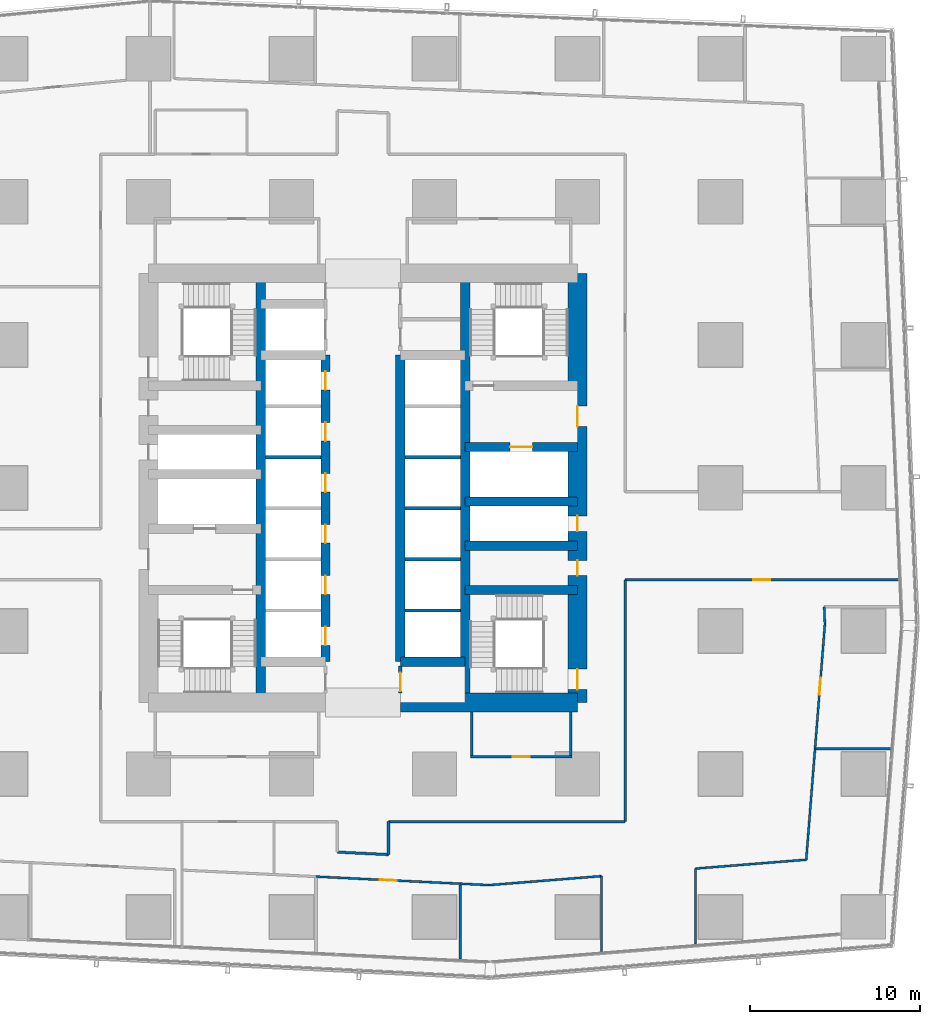
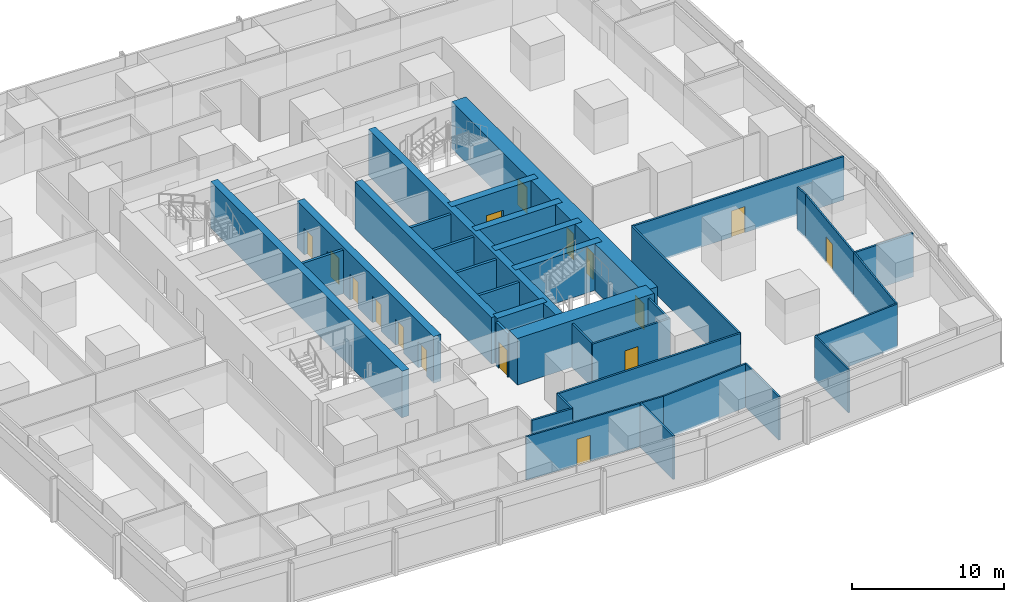
# One storey, part 35 of 46: 36 walls, 16 doors, 16 openings.
"""IFC4 building model written with IfcOpenShell, lengths in metres."""

from ifc_helpers import new_model, si_unit, direction, frame, frame_2d, origin, place, context, subcontext, project, spatial, rectangle, extrude, material, layer, layer_set, type_object, element, fill, save


model = new_model("IFC4")

# Units and contexts
model_context = context("Model", 3, precision=1e-05, world=origin(), true_north=direction((0.0, 1.0)))
body_context = subcontext(model_context, "Body", "Model", "MODEL_VIEW")
ifc_project = project(units=[si_unit("LENGTHUNIT", "METRE"), si_unit("AREAUNIT", "SQUARE_METRE"), si_unit("VOLUMEUNIT", "CUBIC_METRE"), si_unit("PLANEANGLEUNIT", "RADIAN"), si_unit("MASSUNIT", "GRAM", prefix="KILO")], contexts=[model_context])

# Site, building, storey
site_placement = place(None, origin())
site = spatial("IfcSite", under=ifc_project, at=site_placement, CompositionType="ELEMENT")
building_placement = place(site_placement, origin())
building = spatial("IfcBuilding", under=site, at=building_placement, Name="Rekha Terrace Tower", CompositionType="ELEMENT")
storey_placement = place(building_placement, frame((0.0, 0.0, 29.14990234375)))
storey = spatial("IfcBuildingStorey", under=building, at=storey_placement, Name="L06", CompositionType="ELEMENT", Elevation=29.14990234375)

# Walls
ifc_material_1 = material(Name="Concrete M70", Category="concrete")
ifc_layer_1 = layer(ifc_material_1, 0.550048828125)
ifc_layer_set_1 = layer_set([ifc_layer_1], Name="Concrete M70")
wall_type_1 = type_object("IfcWallType", Name="CI1 550 core internal shear wall", PredefinedType="SHEAR", material=ifc_layer_set_1)
for number, where, z_axis, x_axis, name in (
    (1, (31.800048828125, 21.0, 0.0), (0.0, 0.0, 1.0), (0.0, 1.0, 0.0), "Core wall X318 L06"),
    (2, (43.800048828125, 21.0, 0.0), (0.0, 0.0, 1.0), (0.0, 1.0, 0.0), "Core wall X438 L06"),
):
    element("IfcWall", number, at=place(storey_placement, frame(where, z_axis=z_axis, x_axis=x_axis)), inside=storey, type_object=wall_type_1, Name=name, PredefinedType="SHEAR", context=body_context, shape_type="SweptSolid", body=[
        extrude(rectangle(XDim=25.199951171875, YDim=0.550048828125, at=frame_2d((12.60009765625, 0.0))), origin(), (0.0, 0.0, 1.0), 3.75),
    ])

# Wall, openings, doors
wall_1_placement = place(storey_placement, frame((35.60009765625, 23.39990234375, 0.0), z_axis=(0.0, 0.0, 1.0), x_axis=(0.0, 1.0, 0.0)))
wall_1 = element("IfcWall", 3, at=wall_1_placement, inside=storey, type_object=wall_type_1, Name="Core wall X356 L06", PredefinedType="SHEAR", context=body_context, shape_type="SweptSolid", body=[
    extrude(rectangle(XDim=18.0, YDim=0.550048828125, at=frame_2d((9.0, 0.0))), origin(), (0.0, 0.0, 1.0), 3.75),
])
opening_1_placement = place(wall_1_placement, frame((0.949951171875, 0.0, 0.0)))
opening_1 = element("IfcOpeningElement", 4, at=opening_1_placement, cuts=wall_1, Name="Opening LD1", PredefinedType="OPENING", context=body_context, shape_type="SweptSolid", body=[
    extrude(rectangle(XDim=1.10009765625, YDim=2.10009765625, at=frame_2d((0.550048828125, 1.050048828125))), frame((0.0, 0.284912109375, 0.0), z_axis=(0.0, -1.0, 0.0), x_axis=(1.0, 0.0, 0.0)), (0.0, 0.0, 1.0), 0.570068359375),
])
opening_2_placement = place(wall_1_placement, frame((3.949951171875, 0.0, 0.0)))
opening_2 = element("IfcOpeningElement", 5, at=opening_2_placement, cuts=wall_1, Name="Opening LD1", PredefinedType="OPENING", context=body_context, shape_type="SweptSolid", body=[
    extrude(rectangle(XDim=1.10009765625, YDim=2.10009765625, at=frame_2d((0.550048828125, 1.050048828125))), frame((0.0, 0.284912109375, 0.0), z_axis=(0.0, -1.0, 0.0), x_axis=(1.0, 0.0, 0.0)), (0.0, 0.0, 1.0), 0.570068359375),
])
opening_3_placement = place(wall_1_placement, frame((6.949951171875, 0.0, 0.0)))
opening_3 = element("IfcOpeningElement", 6, at=opening_3_placement, cuts=wall_1, Name="Opening LD1", PredefinedType="OPENING", context=body_context, shape_type="SweptSolid", body=[
    extrude(rectangle(XDim=1.10009765625, YDim=2.10009765625, at=frame_2d((0.550048828125, 1.050048828125))), frame((0.0, 0.284912109375, 0.0), z_axis=(0.0, -1.0, 0.0), x_axis=(1.0, 0.0, 0.0)), (0.0, 0.0, 1.0), 0.570068359375),
])
opening_4_placement = place(wall_1_placement, frame((9.949951171875, 0.0, 0.0)))
opening_4 = element("IfcOpeningElement", 7, at=opening_4_placement, cuts=wall_1, Name="Opening LD1", PredefinedType="OPENING", context=body_context, shape_type="SweptSolid", body=[
    extrude(rectangle(XDim=1.10009765625, YDim=2.10009765625, at=frame_2d((0.550048828125, 1.050048828125))), frame((0.0, 0.284912109375, 0.0), z_axis=(0.0, -1.0, 0.0), x_axis=(1.0, 0.0, 0.0)), (0.0, 0.0, 1.0), 0.570068359375),
])
opening_5_placement = place(wall_1_placement, frame((12.949951171875, 0.0, 0.0)))
opening_5 = element("IfcOpeningElement", 8, at=opening_5_placement, cuts=wall_1, Name="Opening LD1", PredefinedType="OPENING", context=body_context, shape_type="SweptSolid", body=[
    extrude(rectangle(XDim=1.10009765625, YDim=2.10009765625, at=frame_2d((0.550048828125, 1.050048828125))), frame((0.0, 0.284912109375, 0.0), z_axis=(0.0, -1.0, 0.0), x_axis=(1.0, 0.0, 0.0)), (0.0, 0.0, 1.0), 0.570068359375),
])
opening_6_placement = place(wall_1_placement, frame((15.949951171875, 0.0, 0.0)))
opening_6 = element("IfcOpeningElement", 9, at=opening_6_placement, cuts=wall_1, Name="Opening LD1", PredefinedType="OPENING", context=body_context, shape_type="SweptSolid", body=[
    extrude(rectangle(XDim=1.10009765625, YDim=2.10009765625, at=frame_2d((0.550048828125, 1.050048828125))), frame((0.0, 0.284912109375, 0.0), z_axis=(0.0, -1.0, 0.0), x_axis=(1.0, 0.0, 0.0)), (0.0, 0.0, 1.0), 0.570068359375),
])
ifc_material_2 = material(Name="Stainless steel sliding landing door", Category="steel")
door_type_1 = type_object("IfcDoorType", Name="LD1 1100x2100 lift landing door", OperationType="SLIDING_TO_LEFT", PredefinedType="USERDEFINED", material=ifc_material_2)
door_1_placement = place(opening_1_placement, origin())
door_1 = element("IfcDoor", 10, at=door_1_placement, inside=storey, type_object=door_type_1, Name="Lift A1 landing door L06", ObjectType="LIFT LANDING DOOR", OperationType="SLIDING_TO_LEFT", OverallHeight=2.10009765625, OverallWidth=1.10009765625, PredefinedType="USERDEFINED", context=body_context, shape_type="SweptSolid", body=[
    extrude(rectangle(XDim=1.10009765625, YDim=2.10009765625, at=frame_2d((0.550048828125, 1.050048828125))), frame((0.0, 0.02490234375, 0.0), z_axis=(0.0, -1.0, 0.0), x_axis=(1.0, 0.0, 0.0)), (0.0, 0.0, 1.0), 0.050048828125),
])
fill(opening_1, door_1)
door_2_placement = place(opening_2_placement, origin())
door_2 = element("IfcDoor", 11, at=door_2_placement, inside=storey, type_object=door_type_1, Name="Lift A2 landing door L06", ObjectType="LIFT LANDING DOOR", OperationType="SLIDING_TO_LEFT", OverallHeight=2.10009765625, OverallWidth=1.10009765625, PredefinedType="USERDEFINED", context=body_context, shape_type="SweptSolid", body=[
    extrude(rectangle(XDim=1.10009765625, YDim=2.10009765625, at=frame_2d((0.550048828125, 1.050048828125))), frame((0.0, 0.02490234375, 0.0), z_axis=(0.0, -1.0, 0.0), x_axis=(1.0, 0.0, 0.0)), (0.0, 0.0, 1.0), 0.050048828125),
])
fill(opening_2, door_2)
door_3_placement = place(opening_3_placement, origin())
door_3 = element("IfcDoor", 12, at=door_3_placement, inside=storey, type_object=door_type_1, Name="Lift A3 landing door L06", ObjectType="LIFT LANDING DOOR", OperationType="SLIDING_TO_LEFT", OverallHeight=2.10009765625, OverallWidth=1.10009765625, PredefinedType="USERDEFINED", context=body_context, shape_type="SweptSolid", body=[
    extrude(rectangle(XDim=1.10009765625, YDim=2.10009765625, at=frame_2d((0.550048828125, 1.050048828125))), frame((0.0, 0.02490234375, 0.0), z_axis=(0.0, -1.0, 0.0), x_axis=(1.0, 0.0, 0.0)), (0.0, 0.0, 1.0), 0.050048828125),
])
fill(opening_3, door_3)
door_4_placement = place(opening_4_placement, origin())
door_4 = element("IfcDoor", 13, at=door_4_placement, inside=storey, type_object=door_type_1, Name="Lift A4 landing door L06", ObjectType="LIFT LANDING DOOR", OperationType="SLIDING_TO_LEFT", OverallHeight=2.10009765625, OverallWidth=1.10009765625, PredefinedType="USERDEFINED", context=body_context, shape_type="SweptSolid", body=[
    extrude(rectangle(XDim=1.10009765625, YDim=2.10009765625, at=frame_2d((0.550048828125, 1.050048828125))), frame((0.0, 0.02490234375, 0.0), z_axis=(0.0, -1.0, 0.0), x_axis=(1.0, 0.0, 0.0)), (0.0, 0.0, 1.0), 0.050048828125),
])
fill(opening_4, door_4)
door_5_placement = place(opening_5_placement, origin())
door_5 = element("IfcDoor", 14, at=door_5_placement, inside=storey, type_object=door_type_1, Name="Lift A5 landing door L06", ObjectType="LIFT LANDING DOOR", OperationType="SLIDING_TO_LEFT", OverallHeight=2.10009765625, OverallWidth=1.10009765625, PredefinedType="USERDEFINED", context=body_context, shape_type="SweptSolid", body=[
    extrude(rectangle(XDim=1.10009765625, YDim=2.10009765625, at=frame_2d((0.550048828125, 1.050048828125))), frame((0.0, 0.02490234375, 0.0), z_axis=(0.0, -1.0, 0.0), x_axis=(1.0, 0.0, 0.0)), (0.0, 0.0, 1.0), 0.050048828125),
])
fill(opening_5, door_5)
door_6_placement = place(opening_6_placement, origin())
door_6 = element("IfcDoor", 15, at=door_6_placement, inside=storey, type_object=door_type_1, Name="Lift A6 landing door L06", ObjectType="LIFT LANDING DOOR", OperationType="SLIDING_TO_LEFT", OverallHeight=2.10009765625, OverallWidth=1.10009765625, PredefinedType="USERDEFINED", context=body_context, shape_type="SweptSolid", body=[
    extrude(rectangle(XDim=1.10009765625, YDim=2.10009765625, at=frame_2d((0.550048828125, 1.050048828125))), frame((0.0, 0.02490234375, 0.0), z_axis=(0.0, -1.0, 0.0), x_axis=(1.0, 0.0, 0.0)), (0.0, 0.0, 1.0), 0.050048828125),
])
fill(opening_6, door_6)

# Walls
wall_2_placement = place(storey_placement, frame((40.0, 23.39990234375, 0.0), z_axis=(0.0, 0.0, 1.0), x_axis=(0.0, 1.0, 0.0)))
element("IfcWall", 16, at=wall_2_placement, inside=storey, type_object=wall_type_1, Name="Core wall X400 L06", PredefinedType="SHEAR", context=body_context, shape_type="SweptSolid", body=[
    extrude(rectangle(XDim=18.0, YDim=0.550048828125, at=frame_2d((9.0, 0.0))), origin(), (0.0, 0.0, 1.0), 3.75),
])
wall_3_placement = place(storey_placement, frame((40.0, 23.39990234375, 0.0), z_axis=(0.0, 0.0, 1.0), x_axis=(1.0, 0.0, 0.0)))
element("IfcWall", 17, at=wall_3_placement, inside=storey, type_object=wall_type_1, Name="Core wall Y234E L06", PredefinedType="SHEAR", context=body_context, shape_type="SweptSolid", body=[
    extrude(rectangle(XDim=3.800048828125, YDim=0.550048828125, at=frame_2d((1.89990234375, 0.0))), origin(), (0.0, 0.0, 1.0), 3.75),
])
for number, where, z_axis, x_axis, name in (
    (18, (43.800048828125, 27.60009765625, 0.0), (0.0, 0.0, 1.0), (1.0, 0.0, 0.0), "Core wall Y276E L06"),
    (19, (43.800048828125, 30.199951171875, 0.0), (0.0, 0.0, 1.0), (1.0, 0.0, 0.0), "Core wall Y302E L06"),
    (20, (43.800048828125, 32.800048828125, 0.0), (0.0, 0.0, 1.0), (1.0, 0.0, 0.0), "Core wall Y328E L06"),
):
    element("IfcWall", number, at=place(storey_placement, frame(where, z_axis=z_axis, x_axis=x_axis)), inside=storey, type_object=wall_type_1, Name=name, PredefinedType="SHEAR", context=body_context, shape_type="SweptSolid", body=[
        extrude(rectangle(XDim=6.599853515625, YDim=0.550048828125, at=frame_2d((3.2998046875, 0.0))), origin(), (0.0, 0.0, 1.0), 3.75),
    ])

# Wall, opening, door
wall_4_placement = place(storey_placement, frame((43.800048828125, 36.0, 0.0), z_axis=(0.0, 0.0, 1.0), x_axis=(1.0, 0.0, 0.0)))
wall_4 = element("IfcWall", 21, at=wall_4_placement, inside=storey, type_object=wall_type_1, Name="Core wall Y360E L06", PredefinedType="SHEAR", context=body_context, shape_type="SweptSolid", body=[
    extrude(rectangle(XDim=6.599853515625, YDim=0.550048828125, at=frame_2d((3.2998046875, 0.0))), origin(), (0.0, 0.0, 1.0), 3.75),
])
opening_7_placement = place(wall_4_placement, frame((2.64990234375, 0.0, 0.0)))
opening_7 = element("IfcOpeningElement", 22, at=opening_7_placement, cuts=wall_4, Name="Opening LD2", PredefinedType="OPENING", context=body_context, shape_type="SweptSolid", body=[
    extrude(rectangle(XDim=1.300048828125, YDim=2.10009765625, at=frame_2d((0.64990234375, 1.050048828125))), frame((0.0, 0.284912109375, 0.0), z_axis=(0.0, -1.0, 0.0), x_axis=(1.0, 0.0, 0.0)), (0.0, 0.0, 1.0), 0.570068359375),
])
door_type_2 = type_object("IfcDoorType", Name="LD2 1300x2100 fire lift landing door", OperationType="SLIDING_TO_LEFT", PredefinedType="USERDEFINED", material=ifc_material_2)
door_7_placement = place(opening_7_placement, origin())
door_7 = element("IfcDoor", 23, at=door_7_placement, inside=storey, type_object=door_type_2, Name="Lift FL2 landing door L06", ObjectType="LIFT LANDING DOOR", OperationType="SLIDING_TO_LEFT", OverallHeight=2.10009765625, OverallWidth=1.300048828125, PredefinedType="USERDEFINED", context=body_context, shape_type="SweptSolid", body=[
    extrude(rectangle(XDim=1.300048828125, YDim=2.10009765625, at=frame_2d((0.64990234375, 1.050048828125))), frame((0.0, 0.02490234375, 0.0), z_axis=(0.0, -1.0, 0.0), x_axis=(1.0, 0.0, 0.0)), (0.0, 0.0, 1.0), 0.050048828125),
])
fill(opening_7, door_7)

# Wall
ifc_layer_2 = layer(ifc_material_1, 1.10009765625)
ifc_layer_set_2 = layer_set([ifc_layer_2], Name="Concrete M70")
wall_type_2 = type_object("IfcWallType", Name="SW1 1100 core outer shear wall", PredefinedType="SHEAR", material=ifc_layer_set_2)
wall_5_placement = place(storey_placement, frame((40.0, 21.0, 0.0), z_axis=(0.0, 0.0, 1.0), x_axis=(1.0, 0.0, 0.0)))
element("IfcWall", 24, at=wall_5_placement, inside=storey, type_object=wall_type_2, Name="Core wall S2 L06", PredefinedType="SHEAR", context=body_context, shape_type="SweptSolid", body=[
    extrude(rectangle(XDim=10.39990234375, YDim=1.10009765625, at=frame_2d((5.199951171875, 0.0))), origin(), (0.0, 0.0, 1.0), 3.75),
])

# Wall, openings, doors
wall_6_placement = place(storey_placement, frame((50.39990234375, 21.0, 0.0), z_axis=(0.0, 0.0, 1.0), x_axis=(0.0, 1.0, 0.0)))
wall_6 = element("IfcWall", 25, at=wall_6_placement, inside=storey, type_object=wall_type_2, Name="Core wall E L06", PredefinedType="SHEAR", context=body_context, shape_type="SweptSolid", body=[
    extrude(rectangle(XDim=25.199951171875, YDim=1.10009765625, at=frame_2d((12.60009765625, 0.0))), origin(), (0.0, 0.0, 1.0), 3.75),
])
opening_8_placement = place(wall_6_placement, frame((16.199951171875, 0.0, 0.0)))
opening_8 = element("IfcOpeningElement", 26, at=opening_8_placement, cuts=wall_6, Name="Opening D2", PredefinedType="OPENING", context=body_context, shape_type="SweptSolid", body=[
    extrude(rectangle(XDim=1.199951171875, YDim=2.10009765625, at=frame_2d((0.60009765625, 1.050048828125))), frame((0.0, 0.56005859375, 0.0), z_axis=(0.0, -1.0, 0.0), x_axis=(1.0, 0.0, 0.0)), (0.0, 0.0, 1.0), 1.1201171875),
])
opening_9_placement = place(wall_6_placement, frame((10.050048828125, 0.0, 0.0)))
opening_9 = element("IfcOpeningElement", 27, at=opening_9_placement, cuts=wall_6, Name="Opening D5", PredefinedType="OPENING", context=body_context, shape_type="SweptSolid", body=[
    extrude(rectangle(XDim=0.89990234375, YDim=2.10009765625, at=frame_2d((0.449951171875, 1.050048828125))), frame((0.0, 0.56005859375, 0.0), z_axis=(0.0, -1.0, 0.0), x_axis=(1.0, 0.0, 0.0)), (0.0, 0.0, 1.0), 1.1201171875),
])
opening_10_placement = place(wall_6_placement, frame((7.449951171875, 0.0, 0.0)))
opening_10 = element("IfcOpeningElement", 28, at=opening_10_placement, cuts=wall_6, Name="Opening D5", PredefinedType="OPENING", context=body_context, shape_type="SweptSolid", body=[
    extrude(rectangle(XDim=0.89990234375, YDim=2.10009765625, at=frame_2d((0.449951171875, 1.050048828125))), frame((0.0, 0.56005859375, 0.0), z_axis=(0.0, -1.0, 0.0), x_axis=(1.0, 0.0, 0.0)), (0.0, 0.0, 1.0), 1.1201171875),
])
opening_11_placement = place(wall_6_placement, frame((0.75, 0.0, 0.0)))
opening_11 = element("IfcOpeningElement", 29, at=opening_11_placement, cuts=wall_6, Name="Opening D1", PredefinedType="OPENING", context=body_context, shape_type="SweptSolid", body=[
    extrude(rectangle(XDim=1.199951171875, YDim=2.10009765625, at=frame_2d((0.60009765625, 1.050048828125))), frame((0.0, 0.56005859375, 0.0), z_axis=(0.0, -1.0, 0.0), x_axis=(1.0, 0.0, 0.0)), (0.0, 0.0, 1.0), 1.1201171875),
])
ifc_material_3 = material(Name="Steel fire door", Category="steel")
door_type_3 = type_object("IfcDoorType", Name="D1 1200x2100 stair fire door", OperationType="SINGLE_SWING_RIGHT", PredefinedType="DOOR", material=ifc_material_3)
door_8_placement = place(opening_11_placement, origin())
door_8 = element("IfcDoor", 30, at=door_8_placement, inside=storey, type_object=door_type_3, Name="Stair ST3 door L06", OperationType="SINGLE_SWING_RIGHT", OverallHeight=2.10009765625, OverallWidth=1.199951171875, PredefinedType="DOOR", context=body_context, shape_type="SweptSolid", body=[
    extrude(rectangle(XDim=1.199951171875, YDim=2.10009765625, at=frame_2d((0.60009765625, 1.050048828125))), frame((0.0, 0.02490234375, 0.0), z_axis=(0.0, -1.0, 0.0), x_axis=(1.0, 0.0, 0.0)), (0.0, 0.0, 1.0), 0.050048828125),
])
fill(opening_11, door_8)
door_type_4 = type_object("IfcDoorType", Name="D2 1200x2100 firefighting lobby door", OperationType="SINGLE_SWING_LEFT", PredefinedType="DOOR", material=ifc_material_3)
door_9_placement = place(opening_8_placement, origin())
door_9 = element("IfcDoor", 31, at=door_9_placement, inside=storey, type_object=door_type_4, Name="Door flb2 L06", OperationType="SINGLE_SWING_LEFT", OverallHeight=2.10009765625, OverallWidth=1.199951171875, PredefinedType="DOOR", context=body_context, shape_type="SweptSolid", body=[
    extrude(rectangle(XDim=1.199951171875, YDim=2.10009765625, at=frame_2d((0.60009765625, 1.050048828125))), frame((0.0, 0.02490234375, 0.0), z_axis=(0.0, -1.0, 0.0), x_axis=(1.0, 0.0, 0.0)), (0.0, 0.0, 1.0), 0.050048828125),
])
fill(opening_8, door_9)
door_type_5 = type_object("IfcDoorType", Name="D5 900x2100 riser access door", OperationType="SINGLE_SWING_LEFT", PredefinedType="DOOR", material=ifc_material_3)
door_10_placement = place(opening_9_placement, origin())
door_10 = element("IfcDoor", 32, at=door_10_placement, inside=storey, type_object=door_type_5, Name="Door rs2 L06", OperationType="SINGLE_SWING_LEFT", OverallHeight=2.10009765625, OverallWidth=0.89990234375, PredefinedType="DOOR", context=body_context, shape_type="SweptSolid", body=[
    extrude(rectangle(XDim=0.89990234375, YDim=2.10009765625, at=frame_2d((0.449951171875, 1.050048828125))), frame((0.0, 0.02490234375, 0.0), z_axis=(0.0, -1.0, 0.0), x_axis=(1.0, 0.0, 0.0)), (0.0, 0.0, 1.0), 0.050048828125),
])
fill(opening_9, door_10)
door_11_placement = place(opening_10_placement, origin())
door_11 = element("IfcDoor", 33, at=door_11_placement, inside=storey, type_object=door_type_5, Name="Door ele L06", OperationType="SINGLE_SWING_LEFT", OverallHeight=2.10009765625, OverallWidth=0.89990234375, PredefinedType="DOOR", context=body_context, shape_type="SweptSolid", body=[
    extrude(rectangle(XDim=0.89990234375, YDim=2.10009765625, at=frame_2d((0.449951171875, 1.050048828125))), frame((0.0, 0.02490234375, 0.0), z_axis=(0.0, -1.0, 0.0), x_axis=(1.0, 0.0, 0.0)), (0.0, 0.0, 1.0), 0.050048828125),
])
fill(opening_10, door_11)

# Wall, opening, door
ifc_material_4 = material(Name="Concrete block masonry, 1 hour", Category="masonry")
ifc_layer_3 = layer(ifc_material_4, 0.14990234375)
ifc_layer_set_3 = layer_set([ifc_layer_3], Name="Concrete block masonry, 1 hour")
wall_type_3 = type_object("IfcWallType", Name="WP2 150 tenancy partition", PredefinedType="PARTITIONING", material=ifc_layer_set_3)
wall_7_placement = place(storey_placement, frame((44.125, 17.800048828125, 0.0), z_axis=(0.0, 0.0, 1.0), x_axis=(1.0, 0.0, 0.0)))
wall_7 = element("IfcWall", 34, at=wall_7_placement, inside=storey, type_object=wall_type_3, Name="Men's WC wall L06", PredefinedType="PARTITIONING", context=body_context, shape_type="SweptSolid", body=[
    extrude(rectangle(XDim=5.949951171875, YDim=0.14990234375, at=frame_2d((2.97509765625, 0.0))), origin(), (0.0, 0.0, 1.0), 3.5),
])
opening_12_placement = place(wall_7_placement, frame((2.47509765625, 0.0, 0.0)))
opening_12 = element("IfcOpeningElement", 35, at=opening_12_placement, cuts=wall_7, Name="Opening D3", PredefinedType="OPENING", context=body_context, shape_type="SweptSolid", body=[
    extrude(rectangle(XDim=1.0, YDim=2.10009765625, at=frame_2d((0.5, 1.050048828125))), frame((0.0, 0.0849609375, 0.0), z_axis=(0.0, -1.0, 0.0), x_axis=(1.0, 0.0, 0.0)), (0.0, 0.0, 1.0), 0.169921875),
])
ifc_material_5 = material(Name="Laminated timber fire door", Category="wood")
door_type_6 = type_object("IfcDoorType", Name="D3 1000x2100 WC door", OperationType="SINGLE_SWING_LEFT", PredefinedType="DOOR", material=ifc_material_5)
door_12_placement = place(opening_12_placement, origin())
door_12 = element("IfcDoor", 36, at=door_12_placement, inside=storey, type_object=door_type_6, Name="Door men's wc L06", OperationType="SINGLE_SWING_LEFT", OverallHeight=2.10009765625, OverallWidth=1.0, PredefinedType="DOOR", context=body_context, shape_type="SweptSolid", body=[
    extrude(rectangle(XDim=1.0, YDim=2.10009765625, at=frame_2d((0.5, 1.050048828125))), frame((0.0, 0.02490234375, 0.0), z_axis=(0.0, -1.0, 0.0), x_axis=(1.0, 0.0, 0.0)), (0.0, 0.0, 1.0), 0.050048828125),
])
fill(opening_12, door_12)

# Walls
for number, where, z_axis, x_axis, name in (
    (37, (44.199951171875, 17.875, 0.0), (0.0, 0.0, 1.0), (0.0, 1.0, 0.0), "Men's WC wall L06"),
    (38, (50.0, 17.875, 0.0), (0.0, 0.0, 1.0), (0.0, 1.0, 0.0), "Men's WC wall L06"),
):
    element("IfcWall", number, at=place(storey_placement, frame(where, z_axis=z_axis, x_axis=x_axis)), inside=storey, type_object=wall_type_3, Name=name, PredefinedType="PARTITIONING", context=body_context, shape_type="SweptSolid", body=[
        extrude(rectangle(XDim=2.574951171875, YDim=0.14990234375, at=frame_2d((1.28759765625, 0.0))), origin(), (0.0, 0.0, 1.0), 3.5),
    ])
wall_8_placement = place(storey_placement, frame((64.412109375, 18.278076171875, 0.0), z_axis=(0.0, 0.0, 1.0), x_axis=(1.0, 0.0, 0.0)))
element("IfcWall", 39, at=wall_8_placement, inside=storey, type_object=wall_type_3, Name="Partition L06-O1", PredefinedType="PARTITIONING", context=body_context, shape_type="SweptSolid", body=[
    extrude(rectangle(XDim=4.40087890625, YDim=0.14990234375, at=frame_2d((2.200439453125, 0.0))), origin(), (0.0, 0.0, 1.0), 3.5),
])
wall_9_placement = place(storey_placement, frame((43.512939453125, 10.291015625, 0.0), z_axis=(0.0, 0.0, 1.0), x_axis=(0.0, -1.0, 0.0)))
element("IfcWall", 40, at=wall_9_placement, inside=storey, type_object=wall_type_3, Name="Partition L06-O1", PredefinedType="PARTITIONING", context=body_context, shape_type="SweptSolid", body=[
    extrude(rectangle(XDim=4.363037109375, YDim=0.14990234375, at=frame_2d((2.181640625, 0.0))), origin(), (0.0, 0.0, 1.0), 3.5),
])
wall_10_placement = place(storey_placement, frame((36.300048828125, 12.2099609375, 0.0), z_axis=(0.0, 0.0, 1.0), x_axis=(0.998786159732, -0.04925654401, 0.0)))
element("IfcWall", 41, at=wall_10_placement, inside=storey, type_object=wall_type_3, Name="Partition L06-O1", PredefinedType="PARTITIONING", context=body_context, shape_type="SweptSolid", body=[
    extrude(rectangle(XDim=3.003662109375, YDim=0.14990234375, at=frame_2d((1.501953125, 0.0))), origin(), (0.0, 0.0, 1.0), 3.5),
])
wall_11_placement = place(storey_placement, frame((39.300048828125, 12.06201171875, 0.0), z_axis=(0.0, 0.0, 1.0), x_axis=(0.0, 1.0, 0.0)))
element("IfcWall", 42, at=wall_11_placement, inside=storey, type_object=wall_type_3, Name="Partition L06-O1", PredefinedType="PARTITIONING", context=body_context, shape_type="SweptSolid", body=[
    extrude(rectangle(XDim=1.93798828125, YDim=0.14990234375, at=frame_2d((0.968994140625, 0.0))), origin(), (0.0, 0.0, 1.0), 3.5),
])
wall_12_placement = place(storey_placement, frame((39.300048828125, 14.0, 0.0), z_axis=(0.0, 0.0, 1.0), x_axis=(1.0, 0.0, 0.0)))
element("IfcWall", 43, at=wall_12_placement, inside=storey, type_object=wall_type_3, Name="Partition L06-O1", PredefinedType="PARTITIONING", context=body_context, shape_type="SweptSolid", body=[
    extrude(rectangle(XDim=13.89990234375, YDim=0.14990234375, at=frame_2d((6.949951171875, 0.0))), origin(), (0.0, 0.0, 1.0), 3.5),
])
wall_13_placement = place(storey_placement, frame((53.199951171875, 14.0, 0.0), z_axis=(0.0, 0.0, 1.0), x_axis=(0.0, 1.0, 0.0)))
element("IfcWall", 44, at=wall_13_placement, inside=storey, type_object=wall_type_3, Name="Partition L06-O1", PredefinedType="PARTITIONING", context=body_context, shape_type="SweptSolid", body=[
    extrude(rectangle(XDim=14.199951171875, YDim=0.14990234375, at=frame_2d((7.10009765625, 0.0))), origin(), (0.0, 0.0, 1.0), 3.5),
])

# Wall, opening, door
wall_14_placement = place(storey_placement, frame((53.199951171875, 28.199951171875, 0.0), z_axis=(0.0, 0.0, 1.0), x_axis=(1.0, 0.0, 0.0)))
wall_14 = element("IfcWall", 45, at=wall_14_placement, inside=storey, type_object=wall_type_3, Name="Partition L06-O1", PredefinedType="PARTITIONING", context=body_context, shape_type="SweptSolid", body=[
    extrude(rectangle(XDim=16.073974609375, YDim=0.14990234375, at=frame_2d((8.037109375, 0.0))), origin(), (0.0, 0.0, 1.0), 3.5),
])
opening_13_placement = place(wall_14_placement, frame((7.52197265625, 0.0, 0.0)))
opening_13 = element("IfcOpeningElement", 46, at=opening_13_placement, cuts=wall_14, Name="Opening D9", PredefinedType="OPENING", context=body_context, shape_type="SweptSolid", body=[
    extrude(rectangle(XDim=1.0, YDim=2.10009765625, at=frame_2d((0.5, 1.050048828125))), frame((0.0, 0.0849609375, 0.0), z_axis=(0.0, -1.0, 0.0), x_axis=(1.0, 0.0, 0.0)), (0.0, 0.0, 1.0), 0.169921875),
])
ifc_material_6 = material(Name="Timber fire door", Category="wood")
door_type_7 = type_object("IfcDoorType", Name="D9 1000x2100 office door", OperationType="SINGLE_SWING_LEFT", PredefinedType="DOOR", material=ifc_material_6)
door_13_placement = place(opening_13_placement, origin())
door_13 = element("IfcDoor", 47, at=door_13_placement, inside=storey, type_object=door_type_7, Name="Door open-plan office L06", OperationType="SINGLE_SWING_LEFT", OverallHeight=2.10009765625, OverallWidth=1.0, PredefinedType="DOOR", context=body_context, shape_type="SweptSolid", body=[
    extrude(rectangle(XDim=1.0, YDim=2.10009765625, at=frame_2d((0.5, 1.050048828125))), frame((0.0, 0.02490234375, 0.0), z_axis=(0.0, -1.0, 0.0), x_axis=(1.0, 0.0, 0.0)), (0.0, 0.0, 1.0), 0.050048828125),
])
fill(opening_13, door_13)

# Walls
ifc_material_7 = material(Name="Two layers of fire-rated gypsum board each side on steel studs, acoustic quilt, 1 hour", Category="steel")
ifc_layer_4 = layer(ifc_material_7, 0.125)
ifc_layer_set_4 = layer_set([ifc_layer_4], Name="Two layers of fire-rated gypsum board each side on steel studs, acoustic quilt, 1 hour")
wall_type_4 = type_object("IfcWallType", Name="WP3 125 office partition", PredefinedType="PARTITIONING", material=ifc_layer_set_4)
wall_15_placement = place(storey_placement, frame((64.929931640625, 25.60205078125, 0.0), z_axis=(0.0, 0.0, 1.0), x_axis=(-0.04216869278, 0.999110505074, 0.0)))
element("IfcWall", 48, at=wall_15_placement, inside=storey, type_object=wall_type_4, Name="Partition L06-02", PredefinedType="PARTITIONING", context=body_context, shape_type="SweptSolid", body=[
    extrude(rectangle(XDim=1.01904296875, YDim=0.125, at=frame_2d((0.509521484375, 0.0))), origin(), (0.0, 0.0, 1.0), 3.5),
])
wall_16_placement = place(storey_placement, frame((57.3291015625, 6.80810546875, 0.0), z_axis=(0.0, 0.0, 1.0), x_axis=(0.0, 1.0, 0.0)))
element("IfcWall", 49, at=wall_16_placement, inside=storey, type_object=wall_type_4, Name="Partition L06-02", PredefinedType="PARTITIONING", context=body_context, shape_type="SweptSolid", body=[
    extrude(rectangle(XDim=4.433837890625, YDim=0.125, at=frame_2d((2.216796875, 0.0))), origin(), (0.0, 0.0, 1.0), 3.5),
])
wall_17_placement = place(storey_placement, frame((57.3291015625, 11.241943359375, 0.0), z_axis=(0.0, 0.0, 1.0), x_axis=(0.99680599034, 0.079861239803, 0.0)))
element("IfcWall", 50, at=wall_17_placement, inside=storey, type_object=wall_type_4, Name="Partition L06-02", PredefinedType="PARTITIONING", context=body_context, shape_type="SweptSolid", body=[
    extrude(rectangle(XDim=6.523681640625, YDim=0.125, at=frame_2d((3.26171875, 0.0))), origin(), (0.0, 0.0, 1.0), 3.5),
])
wall_18_placement = place(storey_placement, frame((63.83203125, 11.762939453125, 0.0), z_axis=(0.0, 0.0, 1.0), x_axis=(0.079130444636, 0.996864269964, 0.0)))
element("IfcWall", 51, at=wall_18_placement, inside=storey, type_object=wall_type_4, Name="Partition L06-02", PredefinedType="PARTITIONING", context=body_context, shape_type="SweptSolid", body=[
    extrude(rectangle(XDim=6.53466796875, YDim=0.125, at=frame_2d((3.267333984375, 0.0))), origin(), (0.0, 0.0, 1.0), 3.5),
])

# Wall, opening, door
wall_19_placement = place(storey_placement, frame((64.34912109375, 18.277099609375, 0.0), z_axis=(0.0, 0.0, 1.0), x_axis=(0.079043976211, 0.996871129999, 0.0)))
wall_19 = element("IfcWall", 52, at=wall_19_placement, inside=storey, type_object=wall_type_4, Name="Partition L06-02", PredefinedType="PARTITIONING", context=body_context, shape_type="SweptSolid", body=[
    extrude(rectangle(XDim=7.347900390625, YDim=0.125, at=frame_2d((3.673828125, 0.0))), origin(), (0.0, 0.0, 1.0), 3.5),
])
opening_14_placement = place(wall_19_placement, frame((3.174072265625, 0.0, 0.0)))
opening_14 = element("IfcOpeningElement", 53, at=opening_14_placement, cuts=wall_19, Name="Opening D9", PredefinedType="OPENING", context=body_context, shape_type="SweptSolid", body=[
    extrude(rectangle(XDim=1.0, YDim=2.10009765625, at=frame_2d((0.5, 1.050048828125))), frame((0.0, 0.072509765625, 0.0), z_axis=(0.0, -1.0, 0.0), x_axis=(1.0, 0.0, 0.0)), (0.0, 0.0, 1.0), 0.14501953125),
])
door_14_placement = place(opening_14_placement, origin())
door_14 = element("IfcDoor", 54, at=door_14_placement, inside=storey, type_object=door_type_7, Name="Door manager's office L06", OperationType="SINGLE_SWING_LEFT", OverallHeight=2.10009765625, OverallWidth=1.0, PredefinedType="DOOR", context=body_context, shape_type="SweptSolid", body=[
    extrude(rectangle(XDim=1.0, YDim=2.10009765625, at=frame_2d((0.5, 1.050048828125))), frame((0.0, 0.02490234375, 0.0), z_axis=(0.0, -1.0, 0.0), x_axis=(1.0, 0.0, 0.0)), (0.0, 0.0, 1.0), 0.050048828125),
])
fill(opening_14, door_14)

wall_20_placement = place(storey_placement, frame((35.0400390625, 10.77001953125, 0.0), z_axis=(0.0, 0.0, 1.0), x_axis=(0.998796515078, -0.049046115723, 0.0)))
wall_20 = element("IfcWall", 55, at=wall_20_placement, inside=storey, type_object=wall_type_4, Name="Partition L06-03", PredefinedType="PARTITIONING", context=body_context, shape_type="SweptSolid", body=[
    extrude(rectangle(XDim=8.482177734375, YDim=0.125, at=frame_2d((4.2412109375, 0.0))), origin(), (0.0, 0.0, 1.0), 3.5),
])
opening_15_placement = place(wall_20_placement, frame((3.740966796875, 0.0, 0.0)))
opening_15 = element("IfcOpeningElement", 56, at=opening_15_placement, cuts=wall_20, Name="Opening D9", PredefinedType="OPENING", context=body_context, shape_type="SweptSolid", body=[
    extrude(rectangle(XDim=1.0, YDim=2.10009765625, at=frame_2d((0.5, 1.050048828125))), frame((0.0, 0.072509765625, 0.0), z_axis=(0.0, -1.0, 0.0), x_axis=(1.0, 0.0, 0.0)), (0.0, 0.0, 1.0), 0.14501953125),
])
door_15_placement = place(opening_15_placement, origin())
door_15 = element("IfcDoor", 57, at=door_15_placement, inside=storey, type_object=door_type_7, Name="Door office L06", OperationType="SINGLE_SWING_LEFT", OverallHeight=2.10009765625, OverallWidth=1.0, PredefinedType="DOOR", context=body_context, shape_type="SweptSolid", body=[
    extrude(rectangle(XDim=1.0, YDim=2.10009765625, at=frame_2d((0.5, 1.050048828125))), frame((0.0, 0.02490234375, 0.0), z_axis=(0.0, -1.0, 0.0), x_axis=(1.0, 0.0, 0.0)), (0.0, 0.0, 1.0), 0.050048828125),
])
fill(opening_15, door_15)

# Walls
wall_21_placement = place(storey_placement, frame((43.511962890625, 10.35400390625, 0.0), z_axis=(0.0, 0.0, 1.0), x_axis=(0.998795852564, -0.049059605587, 0.0)))
element("IfcWall", 58, at=wall_21_placement, inside=storey, type_object=wall_type_4, Name="Partition L06-03", PredefinedType="PARTITIONING", context=body_context, shape_type="SweptSolid", body=[
    extrude(rectangle(XDim=1.69189453125, YDim=0.125, at=frame_2d((0.845947265625, 0.0))), origin(), (0.0, 0.0, 1.0), 3.5),
])
wall_22_placement = place(storey_placement, frame((45.201904296875, 10.27099609375, 0.0), z_axis=(0.0, 0.0, 1.0), x_axis=(0.996813519404, 0.079767208379, 0.0)))
element("IfcWall", 59, at=wall_22_placement, inside=storey, type_object=wall_type_4, Name="Partition L06-03", PredefinedType="PARTITIONING", context=body_context, shape_type="SweptSolid", body=[
    extrude(rectangle(XDim=6.6201171875, YDim=0.125, at=frame_2d((3.31005859375, 0.0))), origin(), (0.0, 0.0, 1.0), 3.5),
])
wall_23_placement = place(storey_placement, frame((51.801025390625, 10.799072265625, 0.0), z_axis=(0.0, 0.0, 1.0), x_axis=(0.0, -1.0, 0.0)))
element("IfcWall", 60, at=wall_23_placement, inside=storey, type_object=wall_type_4, Name="Partition L06-03", PredefinedType="PARTITIONING", context=body_context, shape_type="SweptSolid", body=[
    extrude(rectangle(XDim=4.43408203125, YDim=0.125, at=frame_2d((2.217041015625, 0.0))), origin(), (0.0, 0.0, 1.0), 3.5),
])
ifc_material_8 = material(Name="Solid concrete block masonry, 2 hour", Category="masonry")
ifc_layer_5 = layer(ifc_material_8, 0.199951171875)
ifc_layer_set_5 = layer_set([ifc_layer_5], Name="Solid concrete block masonry, 2 hour")
wall_type_5 = type_object("IfcWallType", Name="WS1 200 stair and shaft enclosure", PredefinedType="PARTITIONING", material=ifc_layer_set_5)
for number, where, z_axis, x_axis, name in (
    (61, (32.074951171875, 35.39990234375, 0.0), (0.0, 0.0, 1.0), (1.0, 0.0, 0.0), "Lift shaft divider L06"),
    (62, (40.27490234375, 26.39990234375, 0.0), (0.0, 0.0, 1.0), (1.0, 0.0, 0.0), "Lift shaft divider L06"),
    (63, (40.27490234375, 29.39990234375, 0.0), (0.0, 0.0, 1.0), (1.0, 0.0, 0.0), "Lift shaft divider L06"),
    (64, (40.27490234375, 32.39990234375, 0.0), (0.0, 0.0, 1.0), (1.0, 0.0, 0.0), "Lift shaft divider L06"),
    (65, (40.27490234375, 35.39990234375, 0.0), (0.0, 0.0, 1.0), (1.0, 0.0, 0.0), "Lift shaft divider L06"),
):
    element("IfcWall", number, at=place(storey_placement, frame(where, z_axis=z_axis, x_axis=x_axis)), inside=storey, type_object=wall_type_5, Name=name, PredefinedType="PARTITIONING", context=body_context, shape_type="SweptSolid", body=[
        extrude(rectangle(XDim=3.25, YDim=0.199951171875, at=frame_2d((1.625, 0.0))), origin(), (0.0, 0.0, 1.0), 3.5),
    ])

# Wall, opening, door
wall_24_placement = place(storey_placement, frame((40.0, 21.550048828125, 0.0), z_axis=(0.0, 0.0, 1.0), x_axis=(0.0, 1.0, 0.0)))
wall_24 = element("IfcWall", 66, at=wall_24_placement, inside=storey, type_object=wall_type_5, Name="Core partition wca L06", PredefinedType="PARTITIONING", context=body_context, shape_type="SweptSolid", body=[
    extrude(rectangle(XDim=1.574951171875, YDim=0.199951171875, at=frame_2d((0.78759765625, 0.0))), origin(), (0.0, 0.0, 1.0), 3.5),
])
opening_16_placement = place(wall_24_placement, frame((0.10009765625, 0.0, 0.0)))
opening_16 = element("IfcOpeningElement", 67, at=opening_16_placement, cuts=wall_24, Name="Opening D4", PredefinedType="OPENING", context=body_context, shape_type="SweptSolid", body=[
    extrude(rectangle(XDim=1.10009765625, YDim=2.10009765625, at=frame_2d((0.550048828125, 1.050048828125))), frame((0.0, 0.10986328125, 0.0), z_axis=(0.0, -1.0, 0.0), x_axis=(1.0, 0.0, 0.0)), (0.0, 0.0, 1.0), 0.219970703125),
])
door_type_8 = type_object("IfcDoorType", Name="D4 1100x2100 accessible WC door", OperationType="SLIDING_TO_LEFT", PredefinedType="DOOR", material=ifc_material_5)
door_16_placement = place(opening_16_placement, origin())
door_16 = element("IfcDoor", 68, at=door_16_placement, inside=storey, type_object=door_type_8, Name="Door wca L06", OperationType="SLIDING_TO_LEFT", OverallHeight=2.10009765625, OverallWidth=1.10009765625, PredefinedType="DOOR", context=body_context, shape_type="SweptSolid", body=[
    extrude(rectangle(XDim=1.10009765625, YDim=2.10009765625, at=frame_2d((0.550048828125, 1.050048828125))), frame((0.0, 0.02490234375, 0.0), z_axis=(0.0, -1.0, 0.0), x_axis=(1.0, 0.0, 0.0)), (0.0, 0.0, 1.0), 0.050048828125),
])
fill(opening_16, door_16)

save(model, "model.ifc")
